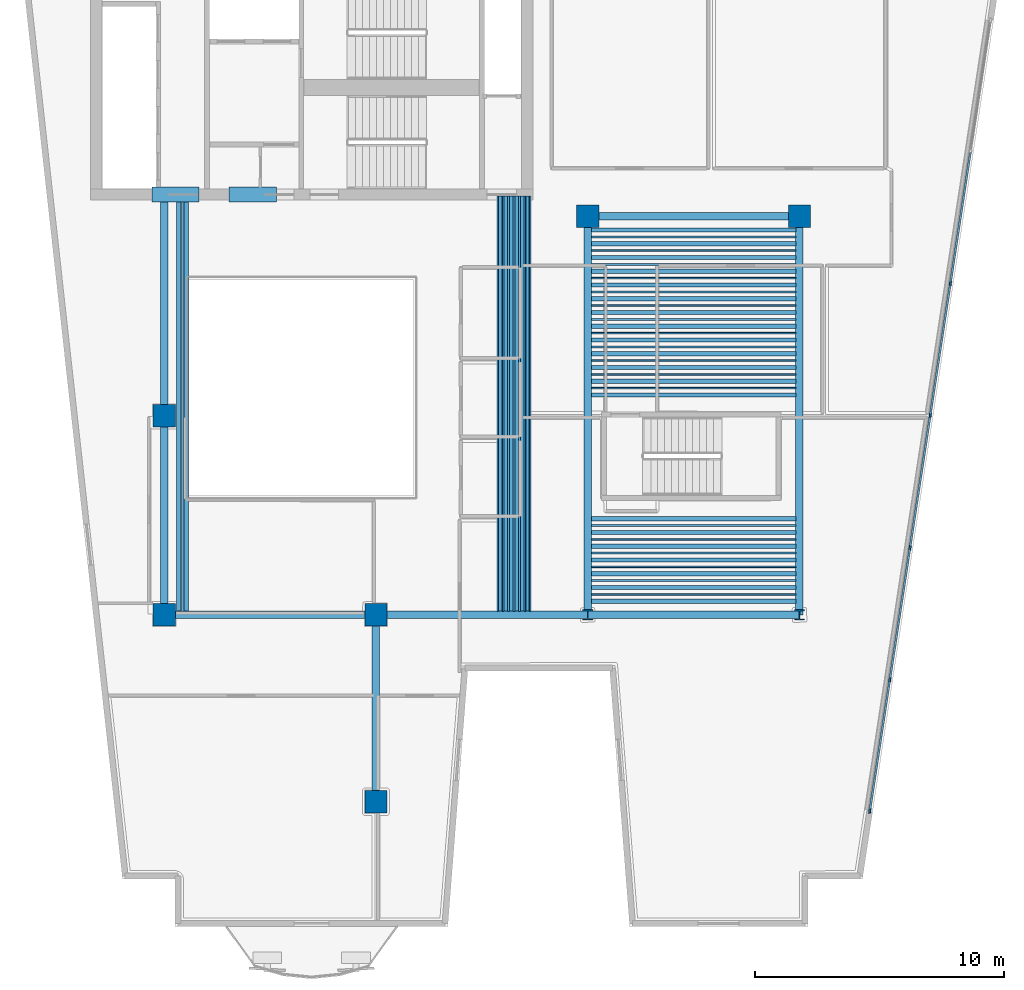
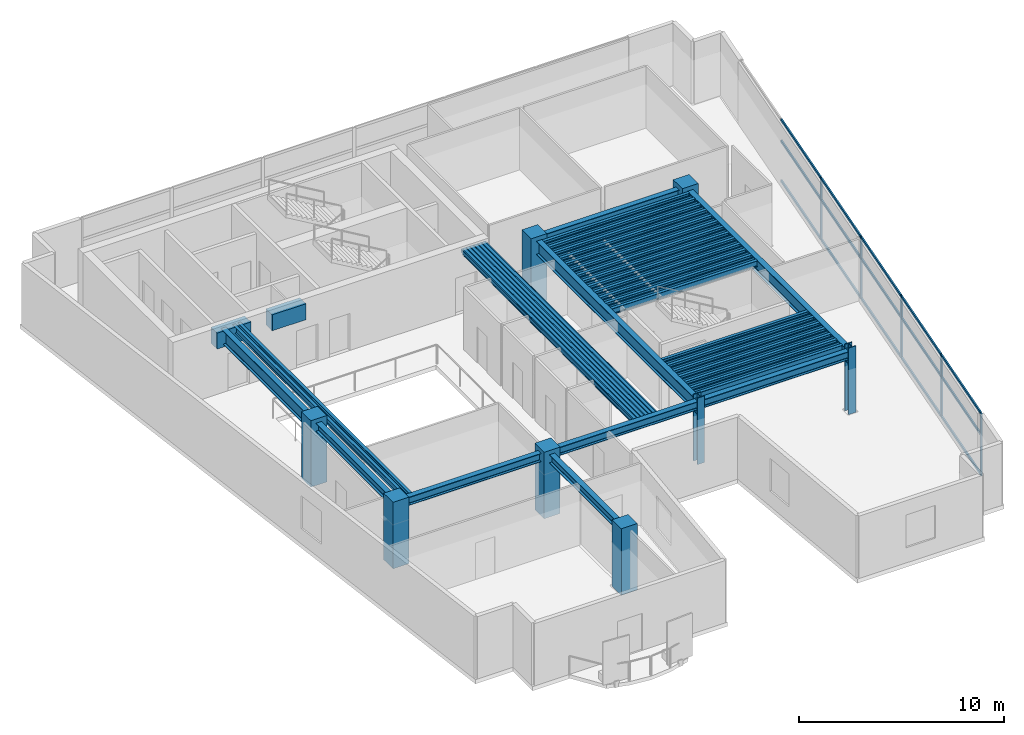
# One storey, part 1 of 8: 65 beams, 20 members, 8 columns, 1 element without a shape of its own.
"""IFC4 building model written with IfcOpenShell, lengths in metres."""

from ifc_helpers import new_model, si_unit, direction, frame, origin, origin_2d, place, context, subcontext, project, spatial, rectangle, hollow_rectangle, i_section, extrude, material, layer, layer_set, material_profile, profile_set, type_object, element, aggregate, save


model = new_model("IFC4")

# Units and contexts
model_context = context("Model", 3, precision=1e-05, world=origin(), true_north=direction((0.0, 1.0)))
body_context = subcontext(model_context, "Body", "Model", "MODEL_VIEW")
ifc_project = project(units=[si_unit("LENGTHUNIT", "METRE"), si_unit("AREAUNIT", "SQUARE_METRE"), si_unit("VOLUMEUNIT", "CUBIC_METRE"), si_unit("PLANEANGLEUNIT", "RADIAN"), si_unit("MASSUNIT", "GRAM", prefix="KILO")], contexts=[model_context])

# Site, building, storey
site_placement = place(None, origin())
site = spatial("IfcSite", under=ifc_project, at=site_placement, CompositionType="ELEMENT")
building_placement = place(site_placement, origin())
building = spatial("IfcBuilding", under=site, at=building_placement, Name="Caeloran Harvest Quay", CompositionType="ELEMENT")
storey_placement = place(building_placement, frame((0.0, 0.0, 239.050048828125)))
storey = spatial("IfcBuildingStorey", under=building, at=storey_placement, Name="L57", CompositionType="ELEMENT", Elevation=239.050048828125)

# Columns
ifc_material_1 = material(Name="Concrete C60/75", Category="concrete")
ifc_material_profile_1 = material_profile(ifc_material_1, rectangle(XDim=0.89990234375, YDim=0.89990234375, at=origin_2d()), Name="RC 900x900")
ifc_profile_set_1 = profile_set([ifc_material_profile_1], Name="Concrete C60/75")
column_type_1 = type_object("IfcColumnType", Name="COL-MC-4-RC_900x900", PredefinedType="COLUMN", material=ifc_profile_set_1)
for number, where, z_axis, x_axis, name in (
    (1, (8.5, 15.0, 0.0), (0.0, 0.0, 1.0), (1.0, 0.0, 0.0), "L57 Structural Column (8.5, 15.0)"),
    (2, (8.5, 23.0, 0.0), (0.0, 0.0, 1.0), (1.0, 0.0, 0.0), "L57 Structural Column (8.5, 23.0)"),
    (3, (17.0, 7.5, 0.0), (0.0, 0.0, 1.0), (1.0, 0.0, 0.0), "L57 Structural Column (17.0, 7.5)"),
    (4, (17.0, 15.0, 0.0), (0.0, 0.0, 1.0), (1.0, 0.0, 0.0), "L57 Structural Column (17.0, 15.0)"),
    (5, (25.5, 31.0, 0.0), (0.0, 0.0, 1.0), (1.0, 0.0, 0.0), "L57 Structural Column (25.5, 31.0)"),
    (6, (34.0, 31.0, 0.0), (0.0, 0.0, 1.0), (1.0, 0.0, 0.0), "L57 Structural Column (34.0, 31.0)"),
):
    element("IfcColumn", number, at=place(storey_placement, frame(where, z_axis=z_axis, x_axis=x_axis)), inside=storey, type_object=column_type_1, Name=name, PredefinedType="COLUMN", context=body_context, shape_type="SweptSolid", body=[
        extrude(rectangle(XDim=0.89990234375, YDim=0.89990234375, at=origin_2d()), origin(), (0.0, 0.0, 1.0), 3.949951171875),
    ])
ifc_material_2 = material(Name="Steel HISTAR 460", Category="steel")
ifc_material_profile_2 = material_profile(ifc_material_2, i_section(OverallWidth=0.406005859375, OverallDepth=0.416015625, WebThickness=0.02978515625, FlangeThickness=0.048095703125, FilletRadius=0.014892578125, at=origin_2d()), Name="HD 400x382")
ifc_profile_set_2 = profile_set([ifc_material_profile_2], Name="Steel HISTAR 460")
column_type_2 = type_object("IfcColumnType", Name="COL-SC-5-HD_400x382", PredefinedType="COLUMN", material=ifc_profile_set_2)
for number, where, z_axis, x_axis, name in (
    (7, (25.5, 15.0, 0.0), (0.0, 0.0, 1.0), (1.0, 0.0, 0.0), "L57 Structural Column (25.5, 15.0)"),
    (8, (34.0, 15.0, 0.0), (0.0, 0.0, 1.0), (1.0, 0.0, 0.0), "L57 Structural Column (34.0, 15.0)"),
):
    element("IfcColumn", number, at=place(storey_placement, frame(where, z_axis=z_axis, x_axis=x_axis)), inside=storey, type_object=column_type_2, Name=name, PredefinedType="COLUMN", context=body_context, shape_type="SweptSolid", body=[
        extrude(i_section(OverallWidth=0.406005859375, OverallDepth=0.416015625, WebThickness=0.02978515625, FlangeThickness=0.048095703125, FilletRadius=0.014892578125, at=origin_2d()), origin(), (0.0, 0.0, 1.0), 3.949951171875),
    ])

# Beams
ifc_material_profile_3 = material_profile(ifc_material_1, rectangle(XDim=0.60009765625, YDim=0.949951171875, at=origin_2d()), Name="RC 600x950")
ifc_profile_set_3 = profile_set([ifc_material_profile_3], Name="Concrete C60/75")
beam_type_1 = type_object("IfcBeamType", Name="BM-CB-2-RC_600x950", PredefinedType="LINTEL", material=ifc_profile_set_3)
for number, where, z_axis, x_axis, name in (
    (9, (8.0, 31.875, 3.224853515625), (1.0, 0.0, 0.0), (0.0, 1.0, 0.0), "L57 Core Coupling Beam 1"),
    (10, (11.10009765625, 31.875, 3.224853515625), (1.0, 0.0, 0.0), (0.0, 1.0, 0.0), "L57 Core Coupling Beam 2"),
):
    element("IfcBeam", number, at=place(storey_placement, frame(where, z_axis=z_axis, x_axis=x_axis)), inside=storey, type_object=beam_type_1, Name=name, PredefinedType="LINTEL", context=body_context, shape_type="SweptSolid", body=[
        extrude(rectangle(XDim=0.60009765625, YDim=0.949951171875, at=origin_2d()), origin(), (0.0, 0.0, 1.0), 1.89990234375),
    ])
ifc_material_3 = material(Name="Steel S355J2", Category="steel")
ifc_material_profile_4 = material_profile(ifc_material_3, i_section(OverallWidth=0.300048828125, OverallDepth=0.800048828125, WebThickness=0.017578125, FlangeThickness=0.032958984375, FilletRadius=0.030029296875, at=origin_2d()), Name="HE 800 B")
ifc_profile_set_4 = profile_set([ifc_material_profile_4], Name="Steel S355J2")
beam_type_2 = type_object("IfcBeamType", Name="BM-PG-1-HE_800_B", PredefinedType="BEAM", material=ifc_profile_set_4)
beam_1_placement = place(storey_placement, frame((8.5, 23.0, 3.300048828125), z_axis=(0.0, 1.0, 0.0), x_axis=(-1.0, 0.0, 0.0)))
element("IfcBeam", 11, at=beam_1_placement, inside=storey, type_object=beam_type_2, Name="L57 Core South Tie Girder X=8.5", PredefinedType="BEAM", context=body_context, shape_type="SweptSolid", body=[
    extrude(i_section(OverallWidth=0.300048828125, OverallDepth=0.800048828125, WebThickness=0.017578125, FlangeThickness=0.032958984375, FilletRadius=0.030029296875, at=origin_2d()), origin(), (0.0, 0.0, 1.0), 8.824951171875),
])
for number, where, z_axis, x_axis, name in (
    (12, (25.5, 15.0, 3.300048828125), (0.0, 1.0, 0.0), (-1.0, 0.0, 0.0), "L57 Primary North-South Girder X=25.5"),
    (13, (34.0, 15.0, 3.300048828125), (0.0, 1.0, 0.0), (-1.0, 0.0, 0.0), "L57 Primary North-South Girder X=34.0"),
):
    element("IfcBeam", number, at=place(storey_placement, frame(where, z_axis=z_axis, x_axis=x_axis)), inside=storey, type_object=beam_type_2, Name=name, PredefinedType="BEAM", context=body_context, shape_type="SweptSolid", body=[
        extrude(i_section(OverallWidth=0.300048828125, OverallDepth=0.800048828125, WebThickness=0.017578125, FlangeThickness=0.032958984375, FilletRadius=0.030029296875, at=origin_2d()), origin(), (0.0, 0.0, 1.0), 16.0),
    ])
ifc_material_profile_5 = material_profile(ifc_material_3, i_section(OverallWidth=0.300048828125, OverallDepth=0.5, WebThickness=0.014404296875, FlangeThickness=0.028076171875, FilletRadius=0.027099609375, at=origin_2d()), Name="HE 500 B")
ifc_profile_set_5 = profile_set([ifc_material_profile_5], Name="Steel S355J2")
beam_type_3 = type_object("IfcBeamType", Name="BM-PG-4-HE_500_B", PredefinedType="BEAM", material=ifc_profile_set_5)
for number, where, z_axis, x_axis, name in (
    (14, (8.5, 15.0, 3.449951171875), (1.0, 0.0, 0.0), (0.0, 1.0, 0.0), "L57 Primary East-West Girder Y=15.0"),
    (15, (17.0, 15.0, 3.449951171875), (1.0, 0.0, 0.0), (0.0, 1.0, 0.0), "L57 Primary East-West Girder Y=15.0"),
    (16, (25.5, 15.0, 3.449951171875), (1.0, 0.0, 0.0), (0.0, 1.0, 0.0), "L57 Primary East-West Girder Y=15.0"),
    (17, (25.5, 31.0, 3.449951171875), (1.0, 0.0, 0.0), (0.0, 1.0, 0.0), "L57 Primary East-West Girder Y=31.0"),
):
    element("IfcBeam", number, at=place(storey_placement, frame(where, z_axis=z_axis, x_axis=x_axis)), inside=storey, type_object=beam_type_3, Name=name, PredefinedType="BEAM", context=body_context, shape_type="SweptSolid", body=[
        extrude(i_section(OverallWidth=0.300048828125, OverallDepth=0.5, WebThickness=0.014404296875, FlangeThickness=0.028076171875, FilletRadius=0.027099609375, at=origin_2d()), origin(), (0.0, 0.0, 1.0), 8.5),
    ])
beam_2_placement = place(storey_placement, frame((8.5, 15.0, 3.449951171875), z_axis=(0.0, 1.0, 0.0), x_axis=(-1.0, 0.0, 0.0)))
element("IfcBeam", 18, at=beam_2_placement, inside=storey, type_object=beam_type_3, Name="L57 Primary North-South Girder X=8.5", PredefinedType="BEAM", context=body_context, shape_type="SweptSolid", body=[
    extrude(i_section(OverallWidth=0.300048828125, OverallDepth=0.5, WebThickness=0.014404296875, FlangeThickness=0.028076171875, FilletRadius=0.027099609375, at=origin_2d()), origin(), (0.0, 0.0, 1.0), 8.0),
])
beam_3_placement = place(storey_placement, frame((17.0, 7.5, 3.449951171875), z_axis=(0.0, 1.0, 0.0), x_axis=(-1.0, 0.0, 0.0)))
element("IfcBeam", 19, at=beam_3_placement, inside=storey, type_object=beam_type_3, Name="L57 Primary North-South Girder X=17.0", PredefinedType="BEAM", context=body_context, shape_type="SweptSolid", body=[
    extrude(i_section(OverallWidth=0.300048828125, OverallDepth=0.5, WebThickness=0.014404296875, FlangeThickness=0.028076171875, FilletRadius=0.027099609375, at=origin_2d()), origin(), (0.0, 0.0, 1.0), 7.5),
])
ifc_material_profile_6 = material_profile(ifc_material_3, i_section(OverallWidth=0.169921875, OverallDepth=0.360107421875, WebThickness=0.008056640625, FlangeThickness=0.0126953125, FilletRadius=0.01806640625, at=origin_2d()), Name="IPE 360")
ifc_profile_set_6 = profile_set([ifc_material_profile_6], Name="Steel S355J2")
beam_type_4 = type_object("IfcBeamType", Name="BM-SB-5-IPE_360", PredefinedType="JOIST", material=ifc_profile_set_6)
for number, where, z_axis, x_axis, name in (
    (20, (9.086181640625, 15.14501953125, 3.52001953125), (0.0, 1.0, 0.0), (-1.0, 0.0, 0.0), "L57 Secondary Composite Joist"),
    (21, (9.37939453125, 15.14501953125, 3.52001953125), (0.0, 1.0, 0.0), (-1.0, 0.0, 0.0), "L57 Secondary Composite Joist"),
    (22, (21.99658203125, 15.14501953125, 3.52001953125), (0.0, 1.0, 0.0), (-1.0, 0.0, 0.0), "L57 Secondary Composite Joist"),
    (23, (22.2138671875, 15.14501953125, 3.52001953125), (0.0, 1.0, 0.0), (-1.0, 0.0, 0.0), "L57 Secondary Composite Joist"),
    (24, (22.430908203125, 15.14501953125, 3.52001953125), (0.0, 1.0, 0.0), (-1.0, 0.0, 0.0), "L57 Secondary Composite Joist"),
    (25, (22.648193359375, 15.14501953125, 3.52001953125), (0.0, 1.0, 0.0), (-1.0, 0.0, 0.0), "L57 Secondary Composite Joist"),
    (26, (22.865478515625, 15.14501953125, 3.52001953125), (0.0, 1.0, 0.0), (-1.0, 0.0, 0.0), "L57 Secondary Composite Joist"),
    (27, (23.082763671875, 15.14501953125, 3.52001953125), (0.0, 1.0, 0.0), (-1.0, 0.0, 0.0), "L57 Secondary Composite Joist"),
):
    element("IfcBeam", number, at=place(storey_placement, frame(where, z_axis=z_axis, x_axis=x_axis)), inside=storey, type_object=beam_type_4, Name=name, PredefinedType="JOIST", context=body_context, shape_type="SweptSolid", body=[
        extrude(i_section(OverallWidth=0.169921875, OverallDepth=0.360107421875, WebThickness=0.008056640625, FlangeThickness=0.0126953125, FilletRadius=0.01806640625, at=origin_2d()), origin(), (0.0, 0.0, 1.0), 16.679931640625),
    ])
for number, where, z_axis, x_axis, name in (
    (28, (25.64501953125, 15.5517578125, 3.52001953125), (1.0, 0.0, 0.0), (0.0, 1.0, 0.0), "L57 Secondary East-West Composite Joist"),
    (29, (25.64501953125, 16.103515625, 3.52001953125), (1.0, 0.0, 0.0), (0.0, 1.0, 0.0), "L57 Secondary East-West Composite Joist"),
    (30, (25.64501953125, 16.6552734375, 3.52001953125), (1.0, 0.0, 0.0), (0.0, 1.0, 0.0), "L57 Secondary East-West Composite Joist"),
    (31, (25.64501953125, 17.206787109375, 3.52001953125), (1.0, 0.0, 0.0), (0.0, 1.0, 0.0), "L57 Secondary East-West Composite Joist"),
    (32, (25.64501953125, 17.758544921875, 3.52001953125), (1.0, 0.0, 0.0), (0.0, 1.0, 0.0), "L57 Secondary East-West Composite Joist"),
    (33, (25.64501953125, 18.310302734375, 3.52001953125), (1.0, 0.0, 0.0), (0.0, 1.0, 0.0), "L57 Secondary East-West Composite Joist"),
    (34, (25.64501953125, 18.862060546875, 3.52001953125), (1.0, 0.0, 0.0), (0.0, 1.0, 0.0), "L57 Secondary East-West Composite Joist"),
    (35, (25.64501953125, 23.82763671875, 3.52001953125), (1.0, 0.0, 0.0), (0.0, 1.0, 0.0), "L57 Secondary East-West Composite Joist"),
    (36, (25.64501953125, 24.37939453125, 3.52001953125), (1.0, 0.0, 0.0), (0.0, 1.0, 0.0), "L57 Secondary East-West Composite Joist"),
    (37, (25.64501953125, 24.930908203125, 3.52001953125), (1.0, 0.0, 0.0), (0.0, 1.0, 0.0), "L57 Secondary East-West Composite Joist"),
    (38, (25.64501953125, 25.48291015625, 3.52001953125), (1.0, 0.0, 0.0), (0.0, 1.0, 0.0), "L57 Secondary East-West Composite Joist"),
    (39, (25.64501953125, 26.034423828125, 3.52001953125), (1.0, 0.0, 0.0), (0.0, 1.0, 0.0), "L57 Secondary East-West Composite Joist"),
    (40, (25.64501953125, 26.586181640625, 3.52001953125), (1.0, 0.0, 0.0), (0.0, 1.0, 0.0), "L57 Secondary East-West Composite Joist"),
    (41, (25.64501953125, 27.137939453125, 3.52001953125), (1.0, 0.0, 0.0), (0.0, 1.0, 0.0), "L57 Secondary East-West Composite Joist"),
    (42, (25.64501953125, 27.689697265625, 3.52001953125), (1.0, 0.0, 0.0), (0.0, 1.0, 0.0), "L57 Secondary East-West Composite Joist"),
    (43, (25.64501953125, 28.241455078125, 3.52001953125), (1.0, 0.0, 0.0), (0.0, 1.0, 0.0), "L57 Secondary East-West Composite Joist"),
    (44, (25.64501953125, 28.793212890625, 3.52001953125), (1.0, 0.0, 0.0), (0.0, 1.0, 0.0), "L57 Secondary East-West Composite Joist"),
    (45, (25.64501953125, 29.3447265625, 3.52001953125), (1.0, 0.0, 0.0), (0.0, 1.0, 0.0), "L57 Secondary East-West Composite Joist"),
    (46, (25.64501953125, 29.896484375, 3.52001953125), (1.0, 0.0, 0.0), (0.0, 1.0, 0.0), "L57 Secondary East-West Composite Joist"),
    (47, (25.64501953125, 30.4482421875, 3.52001953125), (1.0, 0.0, 0.0), (0.0, 1.0, 0.0), "L57 Secondary East-West Composite Joist"),
):
    element("IfcBeam", number, at=place(storey_placement, frame(where, z_axis=z_axis, x_axis=x_axis)), inside=storey, type_object=beam_type_4, Name=name, PredefinedType="JOIST", context=body_context, shape_type="SweptSolid", body=[
        extrude(i_section(OverallWidth=0.169921875, OverallDepth=0.360107421875, WebThickness=0.008056640625, FlangeThickness=0.0126953125, FilletRadius=0.01806640625, at=origin_2d()), origin(), (0.0, 0.0, 1.0), 8.2099609375),
    ])
ifc_material_profile_7 = material_profile(ifc_material_3, hollow_rectangle(XDim=0.080078125, YDim=0.199951171875, WallThickness=0.006103515625, InnerFilletRadius=0.006103515625, OuterFilletRadius=0.009033203125, at=origin_2d()), Name="RHS 200x80x6")
ifc_profile_set_7 = profile_set([ifc_material_profile_7], Name="Steel S355J2")
beam_type_5 = type_object("IfcBeamType", Name="BM-SB-7-RHS_200x80x6", PredefinedType="JOIST", material=ifc_profile_set_7)
for number, where, z_axis, x_axis, name in (
    (48, (9.23291015625, 15.14501953125, 3.599853515625), (0.0, 1.0, 0.0), (-1.0, 0.0, 0.0), "L57 Secondary Composite Joist"),
    (49, (21.887939453125, 15.14501953125, 3.599853515625), (0.0, 1.0, 0.0), (-1.0, 0.0, 0.0), "L57 Secondary Composite Joist"),
    (50, (22.105224609375, 15.14501953125, 3.599853515625), (0.0, 1.0, 0.0), (-1.0, 0.0, 0.0), "L57 Secondary Composite Joist"),
    (51, (22.322509765625, 15.14501953125, 3.599853515625), (0.0, 1.0, 0.0), (-1.0, 0.0, 0.0), "L57 Secondary Composite Joist"),
    (52, (22.539794921875, 15.14501953125, 3.599853515625), (0.0, 1.0, 0.0), (-1.0, 0.0, 0.0), "L57 Secondary Composite Joist"),
    (53, (22.7568359375, 15.14501953125, 3.599853515625), (0.0, 1.0, 0.0), (-1.0, 0.0, 0.0), "L57 Secondary Composite Joist"),
    (54, (22.97412109375, 15.14501953125, 3.599853515625), (0.0, 1.0, 0.0), (-1.0, 0.0, 0.0), "L57 Secondary Composite Joist"),
    (55, (23.19140625, 15.14501953125, 3.599853515625), (0.0, 1.0, 0.0), (-1.0, 0.0, 0.0), "L57 Secondary Composite Joist"),
):
    element("IfcBeam", number, at=place(storey_placement, frame(where, z_axis=z_axis, x_axis=x_axis)), inside=storey, type_object=beam_type_5, Name=name, PredefinedType="JOIST", context=body_context, shape_type="SweptSolid", body=[
        extrude(hollow_rectangle(XDim=0.080078125, YDim=0.199951171875, WallThickness=0.006103515625, InnerFilletRadius=0.006103515625, OuterFilletRadius=0.009033203125, at=origin_2d()), origin(), (0.0, 0.0, 1.0), 16.679931640625),
    ])
for number, where, z_axis, x_axis, name in (
    (56, (25.64501953125, 15.82763671875, 3.599853515625), (1.0, 0.0, 0.0), (0.0, 1.0, 0.0), "L57 Secondary East-West Composite Joist"),
    (57, (25.64501953125, 16.37939453125, 3.599853515625), (1.0, 0.0, 0.0), (0.0, 1.0, 0.0), "L57 Secondary East-West Composite Joist"),
    (58, (25.64501953125, 16.930908203125, 3.599853515625), (1.0, 0.0, 0.0), (0.0, 1.0, 0.0), "L57 Secondary East-West Composite Joist"),
    (59, (25.64501953125, 17.48291015625, 3.599853515625), (1.0, 0.0, 0.0), (0.0, 1.0, 0.0), "L57 Secondary East-West Composite Joist"),
    (60, (25.64501953125, 18.034423828125, 3.599853515625), (1.0, 0.0, 0.0), (0.0, 1.0, 0.0), "L57 Secondary East-West Composite Joist"),
    (61, (25.64501953125, 18.586181640625, 3.599853515625), (1.0, 0.0, 0.0), (0.0, 1.0, 0.0), "L57 Secondary East-West Composite Joist"),
    (62, (25.64501953125, 24.103515625, 3.599853515625), (1.0, 0.0, 0.0), (0.0, 1.0, 0.0), "L57 Secondary East-West Composite Joist"),
    (63, (25.64501953125, 24.6552734375, 3.599853515625), (1.0, 0.0, 0.0), (0.0, 1.0, 0.0), "L57 Secondary East-West Composite Joist"),
    (64, (25.64501953125, 25.206787109375, 3.599853515625), (1.0, 0.0, 0.0), (0.0, 1.0, 0.0), "L57 Secondary East-West Composite Joist"),
    (65, (25.64501953125, 25.758544921875, 3.599853515625), (1.0, 0.0, 0.0), (0.0, 1.0, 0.0), "L57 Secondary East-West Composite Joist"),
    (66, (25.64501953125, 26.310302734375, 3.599853515625), (1.0, 0.0, 0.0), (0.0, 1.0, 0.0), "L57 Secondary East-West Composite Joist"),
    (67, (25.64501953125, 26.862060546875, 3.599853515625), (1.0, 0.0, 0.0), (0.0, 1.0, 0.0), "L57 Secondary East-West Composite Joist"),
    (68, (25.64501953125, 27.413818359375, 3.599853515625), (1.0, 0.0, 0.0), (0.0, 1.0, 0.0), "L57 Secondary East-West Composite Joist"),
    (69, (25.64501953125, 27.965576171875, 3.599853515625), (1.0, 0.0, 0.0), (0.0, 1.0, 0.0), "L57 Secondary East-West Composite Joist"),
    (70, (25.64501953125, 28.51708984375, 3.599853515625), (1.0, 0.0, 0.0), (0.0, 1.0, 0.0), "L57 Secondary East-West Composite Joist"),
    (71, (25.64501953125, 29.069091796875, 3.599853515625), (1.0, 0.0, 0.0), (0.0, 1.0, 0.0), "L57 Secondary East-West Composite Joist"),
    (72, (25.64501953125, 29.62060546875, 3.599853515625), (1.0, 0.0, 0.0), (0.0, 1.0, 0.0), "L57 Secondary East-West Composite Joist"),
    (73, (25.64501953125, 30.17236328125, 3.599853515625), (1.0, 0.0, 0.0), (0.0, 1.0, 0.0), "L57 Secondary East-West Composite Joist"),
):
    element("IfcBeam", number, at=place(storey_placement, frame(where, z_axis=z_axis, x_axis=x_axis)), inside=storey, type_object=beam_type_5, Name=name, PredefinedType="JOIST", context=body_context, shape_type="SweptSolid", body=[
        extrude(hollow_rectangle(XDim=0.080078125, YDim=0.199951171875, WallThickness=0.006103515625, InnerFilletRadius=0.006103515625, OuterFilletRadius=0.009033203125, at=origin_2d()), origin(), (0.0, 0.0, 1.0), 8.2099609375),
    ])

# Curtain wall, members
ifc_material_4 = material(Name="Aluminium 6063-T6 and Low-E Glazing", Category="aluminium")
ifc_layer = layer(ifc_material_4, 0.219970703125, Name="Aluminium 6063-T6 and Low-E Glazing")
ifc_layer_set = layer_set([ifc_layer], Name="Aluminium 6063-T6 and Low-E Glazing")
curtain_wall_type = type_object("IfcCurtainWallType", Name="CW-SYS-CW-5", PredefinedType="USERDEFINED", material=ifc_layer_set)
curtain_wall_placement = place(storey_placement, origin())
curtain_wall = element("IfcCurtainWall", 74, at=curtain_wall_placement, inside=storey, type_object=curtain_wall_type, Name="L57 Unitised Curtain Wall CW-5 Run 9", ObjectType="CURTAIN_WALL", PredefinedType="USERDEFINED")
ifc_material_5 = material(Name="Aluminium 6063-T6", Category="aluminium")
ifc_material_profile_8 = material_profile(ifc_material_5, rectangle(XDim=0.080078125, YDim=0.179931640625, at=origin_2d()), Name="CW-MULLION-180")
ifc_profile_set_8 = profile_set([ifc_material_profile_8], Name="Aluminium 6063-T6")
member_type_1 = type_object("IfcMemberType", Name="CW-MULLION-180", PredefinedType="MULLION", material=ifc_profile_set_8)
member_1_placement = place(storey_placement, frame((40.056884765625, 28.30322265625, 0.0), z_axis=(0.0, 0.0, 1.0), x_axis=(0.988529547698, -0.151027591278, 0.0)))
member_1 = element("IfcMember", 75, at=member_1_placement, type_object=member_type_1, Name="CW-5 mullion 3", PredefinedType="MULLION", context=body_context, shape_type="SweptSolid", body=[
    extrude(rectangle(XDim=0.080078125, YDim=0.179931640625, at=origin_2d()), origin(), (0.0, 0.0, 1.0), 3.699951171875),
])
member_2_placement = place(storey_placement, frame((39.24658203125, 23.0, 0.0), z_axis=(0.0, 0.0, 1.0), x_axis=(0.988529547698, -0.151027591278, 0.0)))
member_2 = element("IfcMember", 76, at=member_2_placement, type_object=member_type_1, Name="CW-5 mullion 4", PredefinedType="MULLION", context=body_context, shape_type="SweptSolid", body=[
    extrude(rectangle(XDim=0.080078125, YDim=0.179931640625, at=origin_2d()), origin(), (0.0, 0.0, 1.0), 3.699951171875),
])
member_3_placement = place(storey_placement, frame((38.436279296875, 17.69677734375, 0.0), z_axis=(0.0, 0.0, 1.0), x_axis=(0.988529547698, -0.151027591278, 0.0)))
member_3 = element("IfcMember", 77, at=member_3_placement, type_object=member_type_1, Name="CW-5 mullion 5", PredefinedType="MULLION", context=body_context, shape_type="SweptSolid", body=[
    extrude(rectangle(XDim=0.080078125, YDim=0.179931640625, at=origin_2d()), origin(), (0.0, 0.0, 1.0), 3.699951171875),
])
member_4_placement = place(storey_placement, frame((37.626220703125, 12.3935546875, 0.0), z_axis=(0.0, 0.0, 1.0), x_axis=(0.988529547698, -0.151027591278, 0.0)))
member_4 = element("IfcMember", 78, at=member_4_placement, type_object=member_type_1, Name="CW-5 mullion 6", PredefinedType="MULLION", context=body_context, shape_type="SweptSolid", body=[
    extrude(rectangle(XDim=0.080078125, YDim=0.179931640625, at=origin_2d()), origin(), (0.0, 0.0, 1.0), 3.699951171875),
])
member_5_placement = place(storey_placement, frame((36.822021484375, 7.129638671875, 0.0), z_axis=(0.0, 0.0, 1.0), x_axis=(0.988529547698, -0.151027591278, 0.0)))
member_5 = element("IfcMember", 79, at=member_5_placement, type_object=member_type_1, Name="CW-5 mullion 7", PredefinedType="MULLION", context=body_context, shape_type="SweptSolid", body=[
    extrude(rectangle(XDim=0.080078125, YDim=0.179931640625, at=origin_2d()), origin(), (0.0, 0.0, 1.0), 3.699951171875),
])
ifc_material_profile_9 = material_profile(ifc_material_5, rectangle(XDim=0.080078125, YDim=0.14990234375, at=origin_2d()), Name="CW-TRANSOM-150")
ifc_profile_set_9 = profile_set([ifc_material_profile_9], Name="Aluminium 6063-T6")
member_type_2 = type_object("IfcMemberType", Name="CW-TRANSOM-150", PredefinedType="USERDEFINED", material=ifc_profile_set_9)
member_6_placement = place(storey_placement, frame((40.861083984375, 33.56689453125, 0.0400390625), z_axis=(-0.151019128787, -0.988530840561, 0.0), x_axis=(0.988530840561, -0.151019128787, 0.0)))
member_6 = element("IfcMember", 80, at=member_6_placement, type_object=member_type_2, Name="CW-5 transom 2.1", ObjectType="TRANSOM", PredefinedType="USERDEFINED", context=body_context, shape_type="SweptSolid", body=[
    extrude(rectangle(XDim=0.080078125, YDim=0.14990234375, at=origin_2d()), origin(), (0.0, 0.0, 1.0), 5.28466796875),
])
member_7_placement = place(storey_placement, frame((40.861083984375, 33.56689453125, 2.39990234375), z_axis=(-0.151019128787, -0.988530840561, 0.0), x_axis=(0.988530840561, -0.151019128787, 0.0)))
member_7 = element("IfcMember", 81, at=member_7_placement, type_object=member_type_2, Name="CW-5 transom 2.2", ObjectType="TRANSOM", PredefinedType="USERDEFINED", context=body_context, shape_type="SweptSolid", body=[
    extrude(rectangle(XDim=0.080078125, YDim=0.14990234375, at=origin_2d()), origin(), (0.0, 0.0, 1.0), 5.28466796875),
])
member_8_placement = place(storey_placement, frame((40.861083984375, 33.56689453125, 3.659912109375), z_axis=(-0.151019128787, -0.988530840561, 0.0), x_axis=(0.988530840561, -0.151019128787, 0.0)))
member_8 = element("IfcMember", 82, at=member_8_placement, type_object=member_type_2, Name="CW-5 transom 2.3", ObjectType="TRANSOM", PredefinedType="USERDEFINED", context=body_context, shape_type="SweptSolid", body=[
    extrude(rectangle(XDim=0.080078125, YDim=0.14990234375, at=origin_2d()), origin(), (0.0, 0.0, 1.0), 5.28466796875),
])
member_9_placement = place(storey_placement, frame((40.05078125, 28.263671875, 0.0400390625), z_axis=(-0.151019128787, -0.988530840561, 0.0), x_axis=(0.988530840561, -0.151019128787, 0.0)))
member_9 = element("IfcMember", 83, at=member_9_placement, type_object=member_type_2, Name="CW-5 transom 3.1", ObjectType="TRANSOM", PredefinedType="USERDEFINED", context=body_context, shape_type="SweptSolid", body=[
    extrude(rectangle(XDim=0.080078125, YDim=0.14990234375, at=origin_2d()), origin(), (0.0, 0.0, 1.0), 5.28466796875),
])
member_10_placement = place(storey_placement, frame((40.05078125, 28.263671875, 2.39990234375), z_axis=(-0.151019128787, -0.988530840561, 0.0), x_axis=(0.988530840561, -0.151019128787, 0.0)))
member_10 = element("IfcMember", 84, at=member_10_placement, type_object=member_type_2, Name="CW-5 transom 3.2", ObjectType="TRANSOM", PredefinedType="USERDEFINED", context=body_context, shape_type="SweptSolid", body=[
    extrude(rectangle(XDim=0.080078125, YDim=0.14990234375, at=origin_2d()), origin(), (0.0, 0.0, 1.0), 5.28466796875),
])
member_11_placement = place(storey_placement, frame((40.05078125, 28.263671875, 3.659912109375), z_axis=(-0.151019128787, -0.988530840561, 0.0), x_axis=(0.988530840561, -0.151019128787, 0.0)))
member_11 = element("IfcMember", 85, at=member_11_placement, type_object=member_type_2, Name="CW-5 transom 3.3", ObjectType="TRANSOM", PredefinedType="USERDEFINED", context=body_context, shape_type="SweptSolid", body=[
    extrude(rectangle(XDim=0.080078125, YDim=0.14990234375, at=origin_2d()), origin(), (0.0, 0.0, 1.0), 5.28466796875),
])
member_12_placement = place(storey_placement, frame((39.240478515625, 22.96044921875, 0.0400390625), z_axis=(-0.151019128787, -0.988530840561, 0.0), x_axis=(0.988530840561, -0.151019128787, 0.0)))
member_12 = element("IfcMember", 86, at=member_12_placement, type_object=member_type_2, Name="CW-5 transom 4.1", ObjectType="TRANSOM", PredefinedType="USERDEFINED", context=body_context, shape_type="SweptSolid", body=[
    extrude(rectangle(XDim=0.080078125, YDim=0.14990234375, at=origin_2d()), origin(), (0.0, 0.0, 1.0), 5.28466796875),
])
member_13_placement = place(storey_placement, frame((39.240478515625, 22.96044921875, 2.39990234375), z_axis=(-0.151019128787, -0.988530840561, 0.0), x_axis=(0.988530840561, -0.151019128787, 0.0)))
member_13 = element("IfcMember", 87, at=member_13_placement, type_object=member_type_2, Name="CW-5 transom 4.2", ObjectType="TRANSOM", PredefinedType="USERDEFINED", context=body_context, shape_type="SweptSolid", body=[
    extrude(rectangle(XDim=0.080078125, YDim=0.14990234375, at=origin_2d()), origin(), (0.0, 0.0, 1.0), 5.28466796875),
])
member_14_placement = place(storey_placement, frame((39.240478515625, 22.96044921875, 3.659912109375), z_axis=(-0.151019128787, -0.988530840561, 0.0), x_axis=(0.988530840561, -0.151019128787, 0.0)))
member_14 = element("IfcMember", 88, at=member_14_placement, type_object=member_type_2, Name="CW-5 transom 4.3", ObjectType="TRANSOM", PredefinedType="USERDEFINED", context=body_context, shape_type="SweptSolid", body=[
    extrude(rectangle(XDim=0.080078125, YDim=0.14990234375, at=origin_2d()), origin(), (0.0, 0.0, 1.0), 5.28466796875),
])
member_15_placement = place(storey_placement, frame((38.430419921875, 17.6572265625, 0.0400390625), z_axis=(-0.15106427205, -0.988523942912, 0.0), x_axis=(0.988523942912, -0.15106427205, 0.0)))
member_15 = element("IfcMember", 89, at=member_15_placement, type_object=member_type_2, Name="CW-5 transom 5.1", ObjectType="TRANSOM", PredefinedType="USERDEFINED", context=body_context, shape_type="SweptSolid", body=[
    extrude(rectangle(XDim=0.080078125, YDim=0.14990234375, at=origin_2d()), origin(), (0.0, 0.0, 1.0), 5.28466796875),
])
member_16_placement = place(storey_placement, frame((38.430419921875, 17.6572265625, 2.39990234375), z_axis=(-0.15106427205, -0.988523942912, 0.0), x_axis=(0.988523942912, -0.15106427205, 0.0)))
member_16 = element("IfcMember", 90, at=member_16_placement, type_object=member_type_2, Name="CW-5 transom 5.2", ObjectType="TRANSOM", PredefinedType="USERDEFINED", context=body_context, shape_type="SweptSolid", body=[
    extrude(rectangle(XDim=0.080078125, YDim=0.14990234375, at=origin_2d()), origin(), (0.0, 0.0, 1.0), 5.28466796875),
])
member_17_placement = place(storey_placement, frame((38.430419921875, 17.6572265625, 3.659912109375), z_axis=(-0.15106427205, -0.988523942912, 0.0), x_axis=(0.988523942912, -0.15106427205, 0.0)))
member_17 = element("IfcMember", 91, at=member_17_placement, type_object=member_type_2, Name="CW-5 transom 5.3", ObjectType="TRANSOM", PredefinedType="USERDEFINED", context=body_context, shape_type="SweptSolid", body=[
    extrude(rectangle(XDim=0.080078125, YDim=0.14990234375, at=origin_2d()), origin(), (0.0, 0.0, 1.0), 5.28466796875),
])
member_18_placement = place(storey_placement, frame((37.6201171875, 12.35400390625, 0.0400390625), z_axis=(-0.151046246318, -0.9885266974, 0.0), x_axis=(0.9885266974, -0.151046246318, 0.0)))
member_18 = element("IfcMember", 92, at=member_18_placement, type_object=member_type_2, Name="CW-5 transom 6.1", ObjectType="TRANSOM", PredefinedType="USERDEFINED", context=body_context, shape_type="SweptSolid", body=[
    extrude(rectangle(XDim=0.080078125, YDim=0.14990234375, at=origin_2d()), origin(), (0.0, 0.0, 1.0), 5.244873046875),
])
member_19_placement = place(storey_placement, frame((37.6201171875, 12.35400390625, 2.39990234375), z_axis=(-0.151046246318, -0.9885266974, 0.0), x_axis=(0.9885266974, -0.151046246318, 0.0)))
member_19 = element("IfcMember", 93, at=member_19_placement, type_object=member_type_2, Name="CW-5 transom 6.2", ObjectType="TRANSOM", PredefinedType="USERDEFINED", context=body_context, shape_type="SweptSolid", body=[
    extrude(rectangle(XDim=0.080078125, YDim=0.14990234375, at=origin_2d()), origin(), (0.0, 0.0, 1.0), 5.244873046875),
])
member_20_placement = place(storey_placement, frame((37.6201171875, 12.35400390625, 3.659912109375), z_axis=(-0.151046246318, -0.9885266974, 0.0), x_axis=(0.9885266974, -0.151046246318, 0.0)))
member_20 = element("IfcMember", 94, at=member_20_placement, type_object=member_type_2, Name="CW-5 transom 6.3", ObjectType="TRANSOM", PredefinedType="USERDEFINED", context=body_context, shape_type="SweptSolid", body=[
    extrude(rectangle(XDim=0.080078125, YDim=0.14990234375, at=origin_2d()), origin(), (0.0, 0.0, 1.0), 5.244873046875),
])
aggregate(curtain_wall, [member_1, member_2, member_3, member_4, member_5, member_6, member_7, member_8, member_9, member_10, member_11, member_12, member_13, member_14, member_15, member_16, member_17, member_18, member_19, member_20])

save(model, "model.ifc")
